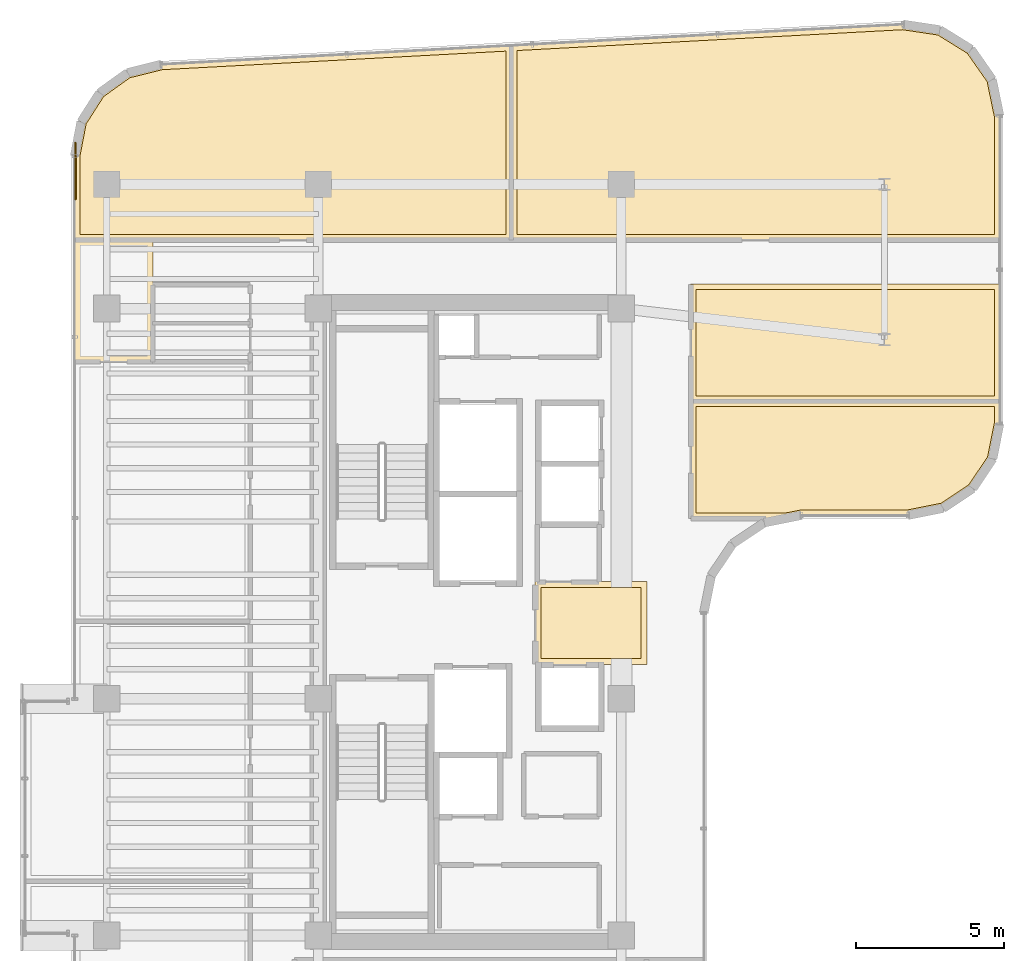
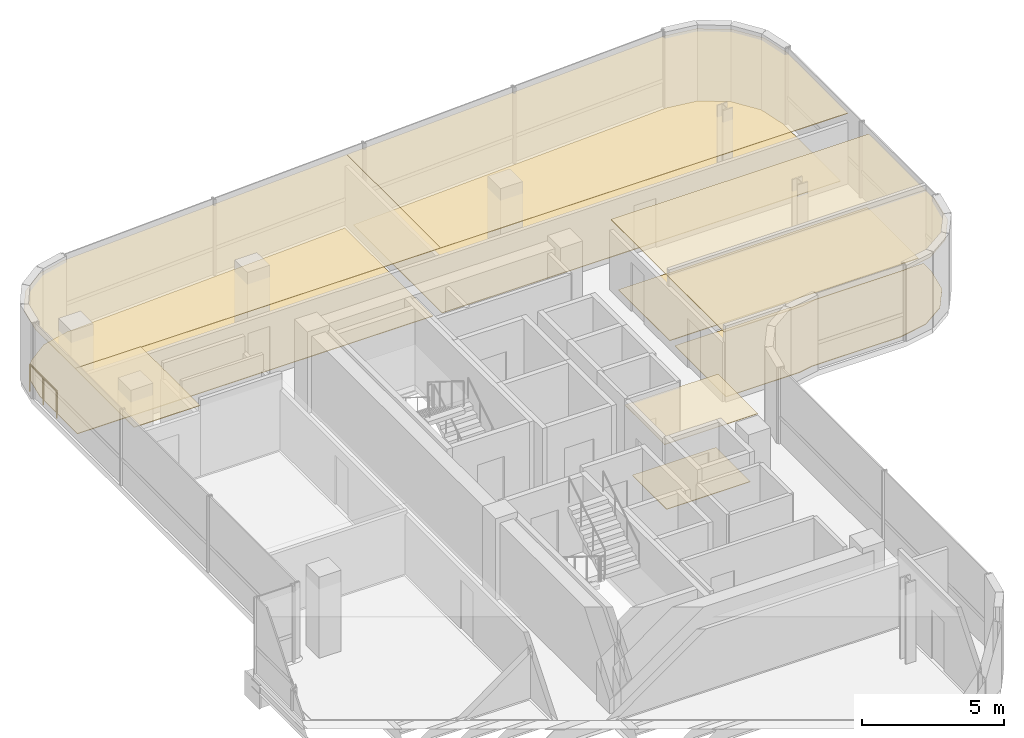
# One storey, part 22 of 22: 11 coverings, 1 railing.
"""IFC4 building model written with IfcOpenShell, lengths in metres."""

from ifc_helpers import new_model, si_unit, direction, frame, origin, origin_2d, place, context, subcontext, project, spatial, polyline, circle, outline, extrude, material, layer, layer_set, type_object, element, save


model = new_model("IFC4")

# Units and contexts
model_context = context("Model", 3, precision=1e-05, world=origin(), true_north=direction((0.0, 1.0)))
body_context = subcontext(model_context, "Body", "Model", "MODEL_VIEW")
ifc_project = project(units=[si_unit("LENGTHUNIT", "METRE"), si_unit("AREAUNIT", "SQUARE_METRE"), si_unit("VOLUMEUNIT", "CUBIC_METRE"), si_unit("PLANEANGLEUNIT", "RADIAN"), si_unit("MASSUNIT", "GRAM", prefix="KILO")], contexts=[model_context])

# Site, building, storey
site_placement = place(None, origin())
site = spatial("IfcSite", under=ifc_project, at=site_placement, CompositionType="ELEMENT")
building_placement = place(site_placement, origin())
building = spatial("IfcBuilding", under=site, at=building_placement, Name="Valdorenza Pilgrim Sanctuary Tower", CompositionType="ELEMENT")
storey_placement = place(building_placement, frame((0.0, 0.0, 233.5)))
storey = spatial("IfcBuildingStorey", under=building, at=storey_placement, Name="L60", CompositionType="ELEMENT", Elevation=233.5)

# Coverings
ifc_material_1 = material(Name="Micro-perforated acoustic mineral ceiling tile", Category="gypsum")
ifc_layer_1 = layer(ifc_material_1, 0.02490234375, Name="Micro-perforated acoustic mineral ceiling tile")
ifc_layer_set_1 = layer_set([ifc_layer_1], Name="Micro-perforated acoustic mineral ceiling tile")
covering_type_1 = type_object("IfcCoveringType", Name="COV-CLG-ACU", PredefinedType="CEILING", material=ifc_layer_set_1)
covering_1_placement = place(storey_placement, frame((0.0, 0.0, 2.9599609375)))
element("IfcCovering", 1, at=covering_1_placement, inside=storey, type_object=covering_type_1, Name="L60 Core A Passenger Lift Lobby Acoustic Ceiling", PredefinedType="CEILING", context=body_context, shape_type="SweptSolid", body=[
    extrude(outline(polyline([(-15.31494140625, 1.35009765625), (-15.31494140625, 1.3515625), (-15.314697265625, 1.352783203125), (-15.314453125, 1.3544921875), (-15.31396484375, 1.355712890625), (-15.313232421875, 1.357177734375), (-15.3125, 1.3583984375), (-15.3115234375, 1.359619140625), (-15.310546875, 1.360595703125), (-15.3095703125, 1.361572265625), (-15.308349609375, 1.362548828125), (-15.30712890625, 1.36328125), (-15.3056640625, 1.364013671875), (-15.304443359375, 1.364501953125), (-15.302978515625, 1.36474609375), (-15.301513671875, 1.364990234375), (-15.300048828125, 1.364990234375), (-11.550048828125, 1.364990234375), (-11.548583984375, 1.364990234375), (-11.547119140625, 1.36474609375), (-11.545654296875, 1.364501953125), (-11.544189453125, 1.364013671875), (-11.54296875, 1.36328125), (-11.541748046875, 1.362548828125), (-11.54052734375, 1.361572265625), (-11.539306640625, 1.360595703125), (-11.538330078125, 1.359619140625), (-11.53759765625, 1.3583984375), (-11.536865234375, 1.357177734375), (-11.5361328125, 1.355712890625), (-11.53564453125, 1.3544921875), (-11.535400390625, 1.352783203125), (-11.53515625, 1.3515625), (-11.534912109375, 1.35009765625), (-11.534912109375, -1.419921875), (-11.53515625, -1.42138671875), (-11.535400390625, -1.4228515625), (-11.53564453125, -1.42431640625), (-11.5361328125, -1.42578125), (-11.536865234375, -1.427001953125), (-11.53759765625, -1.42822265625), (-11.538330078125, -1.429443359375), (-11.539306640625, -1.4306640625), (-11.54052734375, -1.431640625), (-11.541748046875, -1.4326171875), (-11.54296875, -1.43310546875), (-11.544189453125, -1.433837890625), (-11.545654296875, -1.434326171875), (-11.547119140625, -1.434814453125), (-11.548583984375, -1.434814453125), (-11.550048828125, -1.43505859375), (-15.298095703125, -1.43505859375), (-15.299560546875, -1.434814453125), (-15.30078125, -1.434814453125), (-15.302490234375, -1.434326171875), (-15.3037109375, -1.433837890625), (-15.30517578125, -1.43310546875), (-15.306396484375, -1.4326171875), (-15.3076171875, -1.431640625), (-15.30859375, -1.4306640625), (-15.3095703125, -1.429443359375), (-15.310546875, -1.42822265625), (-15.311279296875, -1.427001953125), (-15.31201171875, -1.42578125), (-15.3125, -1.42431640625), (-15.312744140625, -1.4228515625), (-15.31298828125, -1.42138671875), (-15.31298828125, -1.419921875), (-15.31298828125, 1.244384765625), (-15.31298828125, 1.24462890625), (-15.313720703125, 1.24609375), (-15.314208984375, 1.24755859375), (-15.314697265625, 1.2490234375), (-15.31494140625, 1.25048828125), (-15.31494140625, 1.251953125), (-15.31494140625, 1.35009765625)])), origin(), (0.0, 0.0, 1.0), 0.025146484375),
])
covering_2_placement = place(storey_placement, frame((0.0, 0.0, 2.9599609375)))
element("IfcCovering", 2, at=covering_2_placement, inside=storey, type_object=covering_type_1, Name="L60 Pilgrim Scholar Office L60-WN Acoustic Ceiling", PredefinedType="CEILING", context=body_context, shape_type="SweptSolid", body=[
    extrude(outline(polyline([(-28.237060546875, 11.39453125), (-28.237060546875, 10.103759765625), (-28.23681640625, 10.10302734375), (-28.23681640625, 10.1015625), (-28.23681640625, 10.10009765625), (-28.23681640625, 10.098388671875), (-28.237060546875, 10.09814453125), (-28.237060546875, 8.800048828125), (-28.237060546875, 8.798583984375), (-28.2373046875, 8.797119140625), (-28.237548828125, 8.795654296875), (-28.238037109375, 8.794189453125), (-28.23876953125, 8.79296875), (-28.239501953125, 8.791748046875), (-28.240478515625, 8.79052734375), (-28.241455078125, 8.789306640625), (-28.242431640625, 8.788330078125), (-28.24365234375, 8.78759765625), (-28.244873046875, 8.786865234375), (-28.246337890625, 8.7861328125), (-28.24755859375, 8.78564453125), (-28.2490234375, 8.785400390625), (-28.25048828125, 8.78515625), (-28.251953125, 8.784912109375), (-30.889892578125, 8.784912109375), (-30.8916015625, 8.78515625), (-30.892822265625, 8.785400390625), (-30.894287109375, 8.78564453125), (-30.895751953125, 8.7861328125), (-30.897216796875, 8.786865234375), (-30.898193359375, 8.78759765625), (-30.8994140625, 8.788330078125), (-30.900634765625, 8.789306640625), (-30.901611328125, 8.79052734375), (-30.902587890625, 8.791748046875), (-30.9033203125, 8.79296875), (-30.90380859375, 8.794189453125), (-30.904296875, 8.795654296875), (-30.90478515625, 8.797119140625), (-30.90478515625, 8.798583984375), (-30.905029296875, 8.800048828125), (-30.905029296875, 12.919921875), (-30.90478515625, 12.92138671875), (-30.90478515625, 12.9228515625), (-30.904296875, 12.92431640625), (-30.90380859375, 12.92578125), (-30.9033203125, 12.927001953125), (-30.902587890625, 12.92822265625), (-30.901611328125, 12.929443359375), (-30.900634765625, 12.9306640625), (-30.8994140625, 12.931640625), (-30.898193359375, 12.9326171875), (-30.897216796875, 12.93310546875), (-30.895751953125, 12.933837890625), (-30.894287109375, 12.934326171875), (-30.892822265625, 12.934814453125), (-30.8916015625, 12.934814453125), (-30.889892578125, 12.93505859375), (-28.25, 12.93505859375), (-28.24853515625, 12.934814453125), (-28.2470703125, 12.934814453125), (-28.24560546875, 12.934326171875), (-28.244384765625, 12.933837890625), (-28.242919921875, 12.93310546875), (-28.24169921875, 12.9326171875), (-28.240478515625, 12.931640625), (-28.239501953125, 12.9306640625), (-28.23828125, 12.929443359375), (-28.237548828125, 12.92822265625), (-28.23681640625, 12.927001953125), (-28.236083984375, 12.92578125), (-28.235595703125, 12.92431640625), (-28.2353515625, 12.9228515625), (-28.235107421875, 12.92138671875), (-28.235107421875, 12.919921875), (-28.235107421875, 11.402099609375), (-28.235107421875, 11.400390625), (-28.2353515625, 11.39892578125), (-28.235595703125, 11.3974609375), (-28.236083984375, 11.39599609375), (-28.23681640625, 11.394775390625), (-28.237060546875, 11.39453125)])), origin(), (0.0, 0.0, 1.0), 0.025146484375),
])
covering_3_placement = place(storey_placement, frame((0.0, 0.0, 2.9599609375)))
element("IfcCovering", 3, at=covering_3_placement, inside=storey, type_object=covering_type_1, Name="L60 Private Banquet Dining Room L60-N1 Acoustic Ceiling", PredefinedType="CEILING", context=body_context, shape_type="SweptSolid", body=[
    extrude(outline(polyline([(-28.25537109375, 12.906982421875), (-30.889892578125, 12.906982421875), (-30.8916015625, 12.906982421875), (-30.892822265625, 12.9072265625), (-30.894287109375, 12.90771484375), (-30.895751953125, 12.908203125), (-30.897216796875, 12.90869140625), (-30.898193359375, 12.909423828125), (-30.8994140625, 12.910400390625), (-30.900634765625, 12.911376953125), (-30.901611328125, 12.91259765625), (-30.902587890625, 12.913818359375), (-30.9033203125, 12.914794921875), (-30.90380859375, 12.916259765625), (-30.904296875, 12.91748046875), (-30.90478515625, 12.919189453125), (-30.90478515625, 12.92041015625), (-30.905029296875, 12.922119140625), (-30.905029296875, 15.757568359375), (-30.90478515625, 15.759033203125), (-30.90478515625, 15.760498046875), (-30.683349609375, 16.9140625), (-30.68310546875, 16.915283203125), (-30.6826171875, 16.916748046875), (-30.681884765625, 16.918212890625), (-30.681396484375, 16.919189453125), (-30.05419921875, 17.89990234375), (-30.053466796875, 17.901123046875), (-30.052490234375, 17.90234375), (-30.051513671875, 17.9033203125), (-30.05029296875, 17.904052734375), (-29.104736328125, 18.5830078125), (-29.103515625, 18.583740234375), (-29.102294921875, 18.58447265625), (-29.10107421875, 18.5849609375), (-29.099609375, 18.58544921875), (-27.959716796875, 18.86865234375), (-27.958251953125, 18.868896484375), (-27.956787109375, 18.869140625), (-16.120849609375, 19.5078125), (-16.119384765625, 19.5078125), (-16.117919921875, 19.5078125), (-16.116455078125, 19.507568359375), (-16.115234375, 19.507080078125), (-16.11376953125, 19.506591796875), (-16.112548828125, 19.505859375), (-16.111328125, 19.505126953125), (-16.110107421875, 19.50439453125), (-16.109130859375, 19.50341796875), (-16.108154296875, 19.502197265625), (-16.107421875, 19.5009765625), (-16.106689453125, 19.499755859375), (-16.106201171875, 19.49853515625), (-16.105712890625, 19.4970703125), (-16.105224609375, 19.49560546875), (-16.10498046875, 19.494384765625), (-16.10498046875, 19.492919921875), (-16.10498046875, 12.919921875), (-16.10498046875, 12.91845703125), (-16.105224609375, 12.9169921875), (-16.105712890625, 12.91552734375), (-16.106201171875, 12.914306640625), (-16.106689453125, 12.912841796875), (-16.107421875, 12.91162109375), (-16.1083984375, 12.910400390625), (-16.109375, 12.909423828125), (-16.110595703125, 12.908447265625), (-16.11181640625, 12.907470703125), (-16.11279296875, 12.90673828125), (-16.1142578125, 12.906005859375), (-16.115478515625, 12.905517578125), (-16.1171875, 12.9052734375), (-16.118408203125, 12.905029296875), (-16.1201171875, 12.905029296875), (-28.248046875, 12.905029296875), (-28.24951171875, 12.905029296875), (-28.250732421875, 12.9052734375), (-28.252197265625, 12.905517578125), (-28.253662109375, 12.906005859375), (-28.2548828125, 12.90673828125), (-28.25537109375, 12.906982421875)])), origin(), (0.0, 0.0, 1.0), 0.025146484375),
])
covering_4_placement = place(storey_placement, frame((0.0, 0.0, 2.9599609375)))
element("IfcCovering", 4, at=covering_4_placement, inside=storey, type_object=covering_type_1, Name="L60 Private Banquet Dining Room L60-N2 Acoustic Ceiling", PredefinedType="CEILING", context=body_context, shape_type="SweptSolid", body=[
    extrude(outline(polyline([(-16.133056640625, 19.492919921875), (-16.133056640625, 19.49365234375), (-16.1328125, 19.4951171875), (-16.132568359375, 19.49658203125), (-16.132080078125, 19.498046875), (-16.131591796875, 19.49951171875), (-16.130859375, 19.500732421875), (-16.130126953125, 19.501953125), (-16.129150390625, 19.503173828125), (-16.128173828125, 19.504150390625), (-16.126953125, 19.5048828125), (-16.125732421875, 19.505859375), (-16.12451171875, 19.506591796875), (-16.123046875, 19.507080078125), (-16.12158203125, 19.507568359375), (-16.120361328125, 19.5078125), (-16.118896484375, 19.508056640625), (-2.87841796875, 20.222412109375), (-2.876953125, 20.222412109375), (-2.87548828125, 20.222412109375), (-1.63232421875, 20.035400390625), (-1.630859375, 20.03515625), (-1.62939453125, 20.034912109375), (-1.628173828125, 20.0341796875), (-1.626708984375, 20.033447265625), (-0.568359375, 19.376708984375), (-0.567138671875, 19.3759765625), (-0.56591796875, 19.375), (-0.56494140625, 19.373779296875), (-0.56396484375, 19.372802734375), (0.148681640625, 18.351318359375), (0.1494140625, 18.349853515625), (0.150146484375, 18.3486328125), (0.150634765625, 18.34716796875), (0.151123046875, 18.345703125), (0.40478515625, 17.114501953125), (0.40478515625, 17.11279296875), (0.405029296875, 17.111328125), (0.405029296875, 12.919921875), (0.40478515625, 12.91845703125), (0.40478515625, 12.9169921875), (0.404296875, 12.91552734375), (0.40380859375, 12.914306640625), (0.4033203125, 12.912841796875), (0.402587890625, 12.91162109375), (0.401611328125, 12.910400390625), (0.400634765625, 12.909423828125), (0.3994140625, 12.908447265625), (0.398193359375, 12.907470703125), (0.397216796875, 12.90673828125), (0.395751953125, 12.906005859375), (0.394287109375, 12.905517578125), (0.392822265625, 12.9052734375), (0.3916015625, 12.905029296875), (0.389892578125, 12.905029296875), (-16.117919921875, 12.905029296875), (-16.119384765625, 12.905029296875), (-16.120849609375, 12.9052734375), (-16.122314453125, 12.905517578125), (-16.123779296875, 12.906005859375), (-16.125, 12.90673828125), (-16.126220703125, 12.907470703125), (-16.12744140625, 12.908447265625), (-16.128662109375, 12.909423828125), (-16.129638671875, 12.910400390625), (-16.130615234375, 12.91162109375), (-16.131103515625, 12.912841796875), (-16.1318359375, 12.914306640625), (-16.13232421875, 12.91552734375), (-16.1328125, 12.9169921875), (-16.1328125, 12.91845703125), (-16.133056640625, 12.919921875), (-16.133056640625, 19.492919921875), (-16.133056640625, 19.492919921875)])), origin(), (0.0, 0.0, 1.0), 0.025146484375),
])
covering_5_placement = place(storey_placement, frame((0.0, 0.0, 2.9599609375)))
element("IfcCovering", 5, at=covering_5_placement, inside=storey, type_object=covering_type_1, Name="L60 Sacred Art Exhibition Gallery L60-E1 Acoustic Ceiling", PredefinedType="CEILING", context=body_context, shape_type="SweptSolid", body=[
    extrude(outline(polyline([(-10.06494140625, 7.4599609375), (-10.06494140625, 7.46142578125), (-10.064697265625, 7.462890625), (-10.064453125, 7.46435546875), (-10.06396484375, 7.4658203125), (-10.063232421875, 7.467041015625), (-10.0625, 7.46826171875), (-10.0615234375, 7.469482421875), (-10.060546875, 7.470703125), (-10.0595703125, 7.4716796875), (-10.058349609375, 7.472412109375), (-10.05712890625, 7.47314453125), (-10.0556640625, 7.473876953125), (-10.054443359375, 7.474365234375), (-10.052978515625, 7.474609375), (-10.051513671875, 7.474853515625), (-10.050048828125, 7.47509765625), (0.389892578125, 7.47509765625), (0.3916015625, 7.474853515625), (0.392822265625, 7.474609375), (0.394287109375, 7.474365234375), (0.395751953125, 7.473876953125), (0.397216796875, 7.47314453125), (0.398193359375, 7.472412109375), (0.3994140625, 7.4716796875), (0.400634765625, 7.470703125), (0.401611328125, 7.469482421875), (0.402587890625, 7.46826171875), (0.4033203125, 7.467041015625), (0.40380859375, 7.4658203125), (0.404296875, 7.46435546875), (0.40478515625, 7.462890625), (0.40478515625, 7.46142578125), (0.405029296875, 7.4599609375), (0.405029296875, 6.710693359375), (0.40478515625, 6.70947265625), (0.40478515625, 6.7080078125), (0.16748046875, 5.515380859375), (0.1669921875, 5.513916015625), (0.16650390625, 5.5126953125), (0.166015625, 5.51123046875), (0.165283203125, 5.510009765625), (-0.504150390625, 4.50830078125), (-0.5048828125, 4.507080078125), (-0.506103515625, 4.506103515625), (-0.507080078125, 4.5048828125), (-0.50830078125, 4.504150390625), (-1.510009765625, 3.834716796875), (-1.51123046875, 3.833984375), (-1.5126953125, 3.83349609375), (-1.513916015625, 3.8330078125), (-1.515380859375, 3.83251953125), (-2.7080078125, 3.59521484375), (-2.70947265625, 3.59521484375), (-2.710693359375, 3.594970703125), (-6.299560546875, 3.594970703125), (-6.309326171875, 3.594482421875), (-6.31884765625, 3.593017578125), (-6.86083984375, 3.4853515625), (-6.8623046875, 3.485107421875), (-6.86376953125, 3.485107421875), (-10.050048828125, 3.485107421875), (-10.051513671875, 3.485107421875), (-10.052978515625, 3.4853515625), (-10.054443359375, 3.485595703125), (-10.0556640625, 3.486083984375), (-10.05712890625, 3.48681640625), (-10.058349609375, 3.487548828125), (-10.0595703125, 3.48828125), (-10.060546875, 3.489501953125), (-10.0615234375, 3.490478515625), (-10.0625, 3.49169921875), (-10.063232421875, 3.492919921875), (-10.06396484375, 3.494384765625), (-10.064453125, 3.49560546875), (-10.064697265625, 3.4970703125), (-10.06494140625, 3.49853515625), (-10.06494140625, 3.5), (-10.06494140625, 7.4599609375)])), origin(), (0.0, 0.0, 1.0), 0.025146484375),
])
covering_6_placement = place(storey_placement, frame((0.0, 0.0, 2.9599609375)))
element("IfcCovering", 6, at=covering_6_placement, inside=storey, type_object=covering_type_1, Name="L60 Sacred Art Exhibition Gallery L60-E2 Acoustic Ceiling", PredefinedType="CEILING", context=body_context, shape_type="SweptSolid", body=[
    extrude(outline(polyline([(-10.06494140625, 11.419921875), (-10.06494140625, 11.42138671875), (-10.064697265625, 11.4228515625), (-10.064453125, 11.42431640625), (-10.06396484375, 11.42578125), (-10.063232421875, 11.427001953125), (-10.0625, 11.42822265625), (-10.0615234375, 11.429443359375), (-10.060546875, 11.4306640625), (-10.0595703125, 11.431640625), (-10.058349609375, 11.4326171875), (-10.05712890625, 11.43310546875), (-10.0556640625, 11.433837890625), (-10.054443359375, 11.434326171875), (-10.052978515625, 11.434814453125), (-10.051513671875, 11.434814453125), (-10.050048828125, 11.43505859375), (0.389892578125, 11.43505859375), (0.3916015625, 11.434814453125), (0.392822265625, 11.434814453125), (0.394287109375, 11.434326171875), (0.395751953125, 11.433837890625), (0.397216796875, 11.43310546875), (0.398193359375, 11.4326171875), (0.3994140625, 11.431640625), (0.400634765625, 11.4306640625), (0.401611328125, 11.429443359375), (0.402587890625, 11.42822265625), (0.4033203125, 11.427001953125), (0.40380859375, 11.42578125), (0.404296875, 11.42431640625), (0.40478515625, 11.4228515625), (0.40478515625, 11.42138671875), (0.405029296875, 11.419921875), (0.405029296875, 7.4619140625), (0.40478515625, 7.46044921875), (0.40478515625, 7.458984375), (0.404296875, 7.45751953125), (0.40380859375, 7.456298828125), (0.4033203125, 7.454833984375), (0.402587890625, 7.45361328125), (0.401611328125, 7.452392578125), (0.400634765625, 7.451416015625), (0.3994140625, 7.450439453125), (0.398193359375, 7.449462890625), (0.397216796875, 7.44873046875), (0.395751953125, 7.447998046875), (0.394287109375, 7.447509765625), (0.392822265625, 7.447265625), (0.3916015625, 7.447021484375), (0.389892578125, 7.447021484375), (-10.050048828125, 7.447021484375), (-10.051513671875, 7.447021484375), (-10.052978515625, 7.447265625), (-10.054443359375, 7.447509765625), (-10.0556640625, 7.447998046875), (-10.05712890625, 7.44873046875), (-10.058349609375, 7.449462890625), (-10.0595703125, 7.450439453125), (-10.060546875, 7.451416015625), (-10.0615234375, 7.452392578125), (-10.0625, 7.45361328125), (-10.063232421875, 7.454833984375), (-10.06396484375, 7.456298828125), (-10.064453125, 7.45751953125), (-10.064697265625, 7.458984375), (-10.06494140625, 7.46044921875), (-10.06494140625, 7.4619140625), (-10.06494140625, 11.419921875)])), origin(), (0.0, 0.0, 1.0), 0.025146484375),
])
ifc_material_2 = material(Name="Engineered European oak timber flooring", Category="wood")
ifc_layer_2 = layer(ifc_material_2, 0.02197265625, Name="Engineered European oak timber flooring")
ifc_layer_set_2 = layer_set([ifc_layer_2], Name="Engineered European oak timber flooring")
covering_type_2 = type_object("IfcCoveringType", Name="COV-FLR-OAK", PredefinedType="FLOORING", material=ifc_layer_set_2)
covering_7_placement = place(storey_placement, origin())
element("IfcCovering", 7, at=covering_7_placement, inside=storey, type_object=covering_type_2, Name="L60 Private Banquet Dining Room L60-N1 Flooring", PredefinedType="FLOORING", context=body_context, shape_type="SweptSolid", body=[
    extrude(outline(polyline([(-28.22314453125, 13.10009765625), (-28.22314453125, 13.10009765625), (-28.223388671875, 13.10009765625), (-28.240966796875, 13.101806640625), (-28.2412109375, 13.101806640625), (-28.25, 13.10205078125), (-30.7099609375, 13.10205078125), (-30.7099609375, 15.740478515625), (-30.498291015625, 16.843505859375), (-29.90869140625, 17.765869140625), (-29.019287109375, 18.404541015625), (-27.92919921875, 18.67529296875), (-16.300048828125, 19.302978515625), (-16.300048828125, 13.10009765625), (-28.22314453125, 13.10009765625)])), origin(), (0.0, 0.0, 1.0), 0.02490234375),
])
covering_8_placement = place(storey_placement, origin())
element("IfcCovering", 8, at=covering_8_placement, inside=storey, type_object=covering_type_2, Name="L60 Private Banquet Dining Room L60-N2 Flooring", PredefinedType="FLOORING", context=body_context, shape_type="SweptSolid", body=[
    extrude(outline(polyline([(-2.88623046875, 20.02685546875), (-1.697998046875, 19.84814453125), (-0.70263671875, 19.230712890625), (-0.032470703125, 18.27001953125), (0.2099609375, 17.093017578125), (0.2099609375, 13.10009765625), (-15.93798828125, 13.10009765625), (-15.93798828125, 19.322265625), (-2.88623046875, 20.02685546875)])), origin(), (0.0, 0.0, 1.0), 0.02490234375),
])
ifc_material_3 = material(Name="Honed travertine stone flooring", Category="masonry")
ifc_layer_3 = layer(ifc_material_3, 0.030029296875, Name="Honed travertine stone flooring")
ifc_layer_set_3 = layer_set([ifc_layer_3], Name="Honed travertine stone flooring")
covering_type_3 = type_object("IfcCoveringType", Name="COV-FLR-TRV", PredefinedType="FLOORING", material=ifc_layer_set_3)
covering_9_placement = place(storey_placement, origin())
element("IfcCovering", 9, at=covering_9_placement, inside=storey, type_object=covering_type_3, Name="L60 Core A Passenger Lift Lobby Flooring", PredefinedType="FLOORING", context=body_context, shape_type="SweptSolid", body=[
    extrude(outline(polyline([(-15.117919921875, 1.169921875), (-11.72998046875, 1.169921875), (-11.72998046875, -1.239990234375), (-15.117919921875, -1.239990234375), (-15.117919921875, 1.169921875)])), origin(), (0.0, 0.0, 1.0), 0.02490234375),
])
covering_10_placement = place(storey_placement, origin())
element("IfcCovering", 10, at=covering_10_placement, inside=storey, type_object=covering_type_3, Name="L60 Sacred Art Exhibition Gallery L60-E1 Flooring", PredefinedType="FLOORING", context=body_context, shape_type="SweptSolid", body=[
    extrude(outline(polyline([(-9.8701171875, 7.280029296875), (0.2099609375, 7.280029296875), (0.2099609375, 6.728515625), (-0.016845703125, 5.588623046875), (-0.646484375, 4.646484375), (-1.588623046875, 4.016845703125), (-2.728515625, 3.7900390625), (-6.300048828125, 3.7900390625), (-6.308837890625, 3.789794921875), (-6.319580078125, 3.789306640625), (-6.337158203125, 3.78759765625), (-6.347900390625, 3.785888671875), (-6.356689453125, 3.784423828125), (-6.881591796875, 3.679931640625), (-9.8701171875, 3.679931640625), (-9.8701171875, 7.280029296875)])), origin(), (0.0, 0.0, 1.0), 0.02490234375),
])
covering_11_placement = place(storey_placement, origin())
element("IfcCovering", 11, at=covering_11_placement, inside=storey, type_object=covering_type_3, Name="L60 Sacred Art Exhibition Gallery L60-E2 Flooring", PredefinedType="FLOORING", context=body_context, shape_type="SweptSolid", body=[
    extrude(outline(polyline([(-9.8701171875, 11.239990234375), (0.2099609375, 11.239990234375), (0.2099609375, 7.64208984375), (-9.8701171875, 7.64208984375), (-9.8701171875, 11.239990234375)])), origin(), (0.0, 0.0, 1.0), 0.02490234375),
])

# Railing
ifc_material_4 = material(Name="Stainless steel Grade 316", Category="steel")
railing_type = type_object("IfcRailingType", Name="RLG-GRD-1120", PredefinedType="GUARDRAIL", material=ifc_material_4)
railing_placement = place(storey_placement, frame((-30.860107421875, 14.300048828125, 0.0)))
element("IfcRailing", 12, at=railing_placement, inside=storey, type_object=railing_type, Name="L60 NW Tangent Safety Sill Guard", PredefinedType="GUARDRAIL", context=body_context, shape_type="SweptSolid", body=[
    extrude(circle(Radius=0.02392578125, at=origin_2d()), frame((0.0, 0.0, 1.17578125), z_axis=(0.0, 1.0, 0.0), x_axis=(-1.0, 0.0, 0.0)), (0.0, 0.0, 1.0), 1.89990234375),
    extrude(circle(Radius=0.02099609375, at=origin_2d()), origin(), (0.0, 0.0, 1.0), 1.15185546875),
    extrude(circle(Radius=0.02099609375, at=origin_2d()), frame((0.0, 0.949951171875, 0.0)), (0.0, 0.0, 1.0), 1.15185546875),
    extrude(circle(Radius=0.02099609375, at=origin_2d()), frame((0.0, 1.89990234375, 0.0)), (0.0, 0.0, 1.0), 1.15185546875),
])

save(model, "model.ifc")
